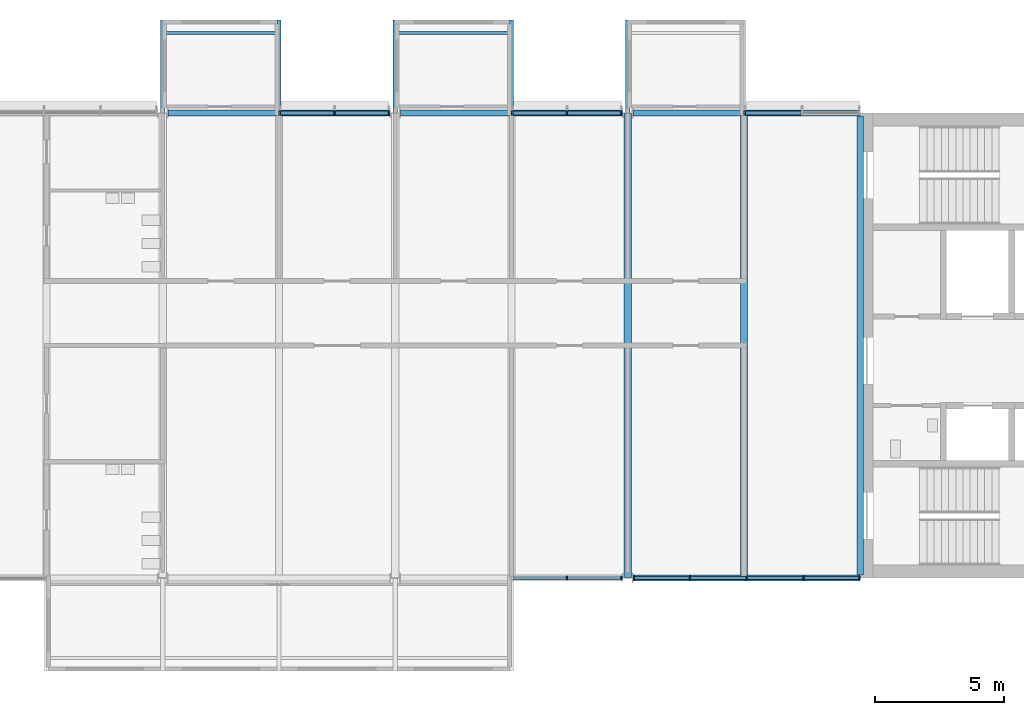
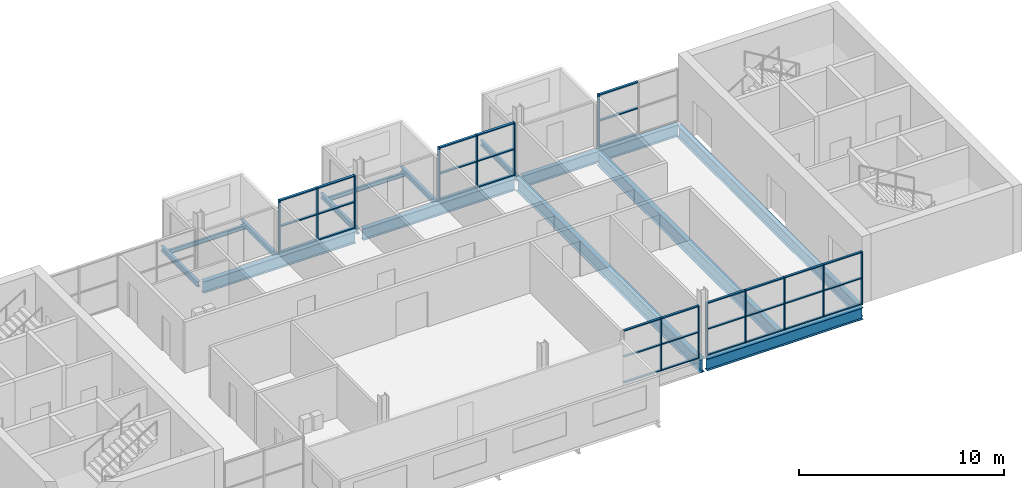
# One storey, part 2 of 11: 47 members, 14 beams, 5 elements without a shape of their own.
"""IFC4 building model written with IfcOpenShell, lengths in metres."""

from ifc_helpers import new_model, si_unit, direction, frame, origin, origin_2d, place, context, subcontext, project, spatial, rectangle, i_section, extrude, material, layer, layer_set, material_profile, profile_set, type_object, element, aggregate, save


model = new_model("IFC4")

# Units and contexts
model_context = context("Model", 3, precision=1e-05, world=origin(), true_north=direction((0.0, 1.0)))
body_context = subcontext(model_context, "Body", "Model", "MODEL_VIEW")
ifc_project = project(units=[si_unit("LENGTHUNIT", "METRE"), si_unit("AREAUNIT", "SQUARE_METRE"), si_unit("VOLUMEUNIT", "CUBIC_METRE"), si_unit("PLANEANGLEUNIT", "RADIAN"), si_unit("MASSUNIT", "GRAM", prefix="KILO")], contexts=[model_context])

# Site, building, storey
site_placement = place(None, origin())
site = spatial("IfcSite", under=ifc_project, at=site_placement, CompositionType="ELEMENT")
building_placement = place(site_placement, origin())
building = spatial("IfcBuilding", under=site, at=building_placement, Name="Corbel Yard City Hall", CompositionType="ELEMENT")
storey_placement = place(building_placement, frame((0.0, 0.0, 39.199951171875)))
storey = spatial("IfcBuildingStorey", under=building, at=storey_placement, Name="L09", CompositionType="ELEMENT", Elevation=39.199951171875)

# Beams
ifc_material_1 = material(Name="Steel Grade 350", Category="steel")
ifc_material_profile_1 = material_profile(ifc_material_1, i_section(OverallWidth=0.25, OverallDepth=0.699951171875, WebThickness=0.010009765625, FlangeThickness=0.02001953125, at=origin_2d()), Name="700WB130")
ifc_profile_set_1 = profile_set([ifc_material_profile_1], Name="Steel Grade 350")
beam_type_1 = type_object("IfcBeamType", Name="Edge beam 700WB130", PredefinedType="BEAM", material=ifc_profile_set_1)
beam_1_placement = place(storey_placement, frame((36.20703125, 99.0, -0.5), z_axis=(1.0, 0.0, 0.0), x_axis=(0.0, 1.0, 0.0)))
element("IfcBeam", 1, at=beam_1_placement, inside=storey, type_object=beam_type_1, Name="Edge beam 700WB130 EB9 L09tower", PredefinedType="BEAM", context=body_context, shape_type="SweptSolid", body=[
    extrude(i_section(OverallWidth=0.25, OverallDepth=0.699951171875, WebThickness=0.010009765625, FlangeThickness=0.02001953125, at=origin_2d()), origin(), (0.0, 0.0, 1.0), 8.79296875),
])
for number, where, z_axis, x_axis, name in (
    (2, (18.20703125, 117.0, -0.5), (1.0, 0.0, 0.0), (0.0, 1.0, 0.0), "Edge beam 700WB130 EB9 L09tower"),
    (3, (27.20703125, 117.0, -0.5), (1.0, 0.0, 0.0), (0.0, 1.0, 0.0), "Edge beam 700WB130 EB9 L09tower"),
):
    element("IfcBeam", number, at=place(storey_placement, frame(where, z_axis=z_axis, x_axis=x_axis)), inside=storey, type_object=beam_type_1, Name=name, PredefinedType="BEAM", context=body_context, shape_type="SweptSolid", body=[
        extrude(i_section(OverallWidth=0.25, OverallDepth=0.699951171875, WebThickness=0.010009765625, FlangeThickness=0.02001953125, at=origin_2d()), origin(), (0.0, 0.0, 1.0), 8.5859375),
    ])
beam_2_placement = place(storey_placement, frame((36.20703125, 117.0, -0.5), z_axis=(1.0, 0.0, 0.0), x_axis=(0.0, 1.0, 0.0)))
element("IfcBeam", 4, at=beam_2_placement, inside=storey, type_object=beam_type_1, Name="Edge beam 700WB130 EB9 L09tower", PredefinedType="BEAM", context=body_context, shape_type="SweptSolid", body=[
    extrude(i_section(OverallWidth=0.25, OverallDepth=0.699951171875, WebThickness=0.010009765625, FlangeThickness=0.02001953125, at=origin_2d()), origin(), (0.0, 0.0, 1.0), 8.79296875),
])
ifc_material_profile_2 = material_profile(ifc_material_1, i_section(OverallWidth=0.27490234375, OverallDepth=0.800048828125, WebThickness=0.010009765625, FlangeThickness=0.02001953125, at=origin_2d()), Name="800WB146")
ifc_profile_set_2 = profile_set([ifc_material_profile_2], Name="Steel Grade 350")
beam_type_2 = type_object("IfcBeamType", Name="Long-span beam 800WB146", PredefinedType="BEAM", material=ifc_profile_set_2)
beam_3_placement = place(storey_placement, frame((36.0, 99.012451171875, -0.550048828125), z_axis=(0.0, 1.0, 0.0), x_axis=(-1.0, 0.0, 0.0)))
element("IfcBeam", 5, at=beam_3_placement, inside=storey, type_object=beam_type_2, Name="Long-span beam 800WB146 SB8 L09tower", PredefinedType="BEAM", context=body_context, shape_type="SweptSolid", body=[
    extrude(i_section(OverallWidth=0.27490234375, OverallDepth=0.800048828125, WebThickness=0.010009765625, FlangeThickness=0.02001953125, at=origin_2d()), origin(), (0.0, 0.0, 1.0), 17.97509765625),
])
ifc_material_profile_3 = material_profile(ifc_material_1, i_section(OverallWidth=0.25, OverallDepth=0.7099609375, WebThickness=0.010009765625, FlangeThickness=0.02490234375, at=origin_2d()), Name="700WB150")
ifc_profile_set_3 = profile_set([ifc_material_profile_3], Name="Steel Grade 350")
beam_type_3 = type_object("IfcBeamType", Name="Long-span edge beam 700WB150", PredefinedType="BEAM", material=ifc_profile_set_3)
beam_4_placement = place(storey_placement, frame((45.0, 99.125, -0.5048828125), z_axis=(0.0, 1.0, 0.0), x_axis=(-1.0, 0.0, 0.0)))
element("IfcBeam", 6, at=beam_4_placement, inside=storey, type_object=beam_type_3, Name="Long-span edge beam 700WB150 EB8 L09tower", PredefinedType="BEAM", context=body_context, shape_type="SweptSolid", body=[
    extrude(i_section(OverallWidth=0.25, OverallDepth=0.7099609375, WebThickness=0.010009765625, FlangeThickness=0.02490234375, at=origin_2d()), origin(), (0.0, 0.0, 1.0), 17.75),
])
ifc_material_profile_4 = material_profile(ifc_material_1, i_section(OverallWidth=0.27490234375, OverallDepth=0.800048828125, WebThickness=0.010009765625, FlangeThickness=0.02001953125, at=origin_2d()), Name="800WB146")
ifc_profile_set_4 = profile_set([ifc_material_profile_4], Name="Steel Grade 350")
beam_type_4 = type_object("IfcBeamType", Name="Long-span secondary beam 800WB146", PredefinedType="JOIST", material=ifc_profile_set_4)
beam_5_placement = place(storey_placement, frame((40.5, 99.125, -0.550048828125), z_axis=(0.0, 1.0, 0.0), x_axis=(-1.0, 0.0, 0.0)))
element("IfcBeam", 7, at=beam_5_placement, inside=storey, type_object=beam_type_4, Name="Long-span secondary beam 800WB146 SB7 L09tower", PredefinedType="JOIST", context=body_context, shape_type="SweptSolid", body=[
    extrude(i_section(OverallWidth=0.27490234375, OverallDepth=0.800048828125, WebThickness=0.010009765625, FlangeThickness=0.02001953125, at=origin_2d()), origin(), (0.0, 0.0, 1.0), 17.75),
])

# Curtain wall, members
ifc_material_2 = material(Name="Aluminium extrusion", Category="aluminium")
ifc_layer_1 = layer(ifc_material_2, 0.14990234375)
ifc_layer_set_1 = layer_set([ifc_layer_1], Name="Aluminium extrusion")
curtain_wall_type_1 = type_object("IfcCurtainWallType", Name="CW2", PredefinedType="USERDEFINED", material=ifc_layer_set_1)
curtain_wall_1_placement = place(storey_placement, origin())
curtain_wall_1 = element("IfcCurtainWall", 8, at=curtain_wall_1_placement, inside=storey, type_object=curtain_wall_type_1, Name="Curtain wall CW2 L09", ObjectType="CURTAIN WALL", PredefinedType="USERDEFINED")
ifc_material_profile_5 = material_profile(ifc_material_2, rectangle(XDim=0.14990234375, YDim=0.06494140625, at=origin_2d()), Name="150x65")
ifc_profile_set_5 = profile_set([ifc_material_profile_5], Name="Aluminium extrusion")
member_type_1 = type_object("IfcMemberType", Name="ML2", PredefinedType="MULLION", material=ifc_profile_set_5)
member_1_placement = place(storey_placement, frame((33.646484375, 99.0, 0.0), z_axis=(0.0, 0.0, 1.0), x_axis=(0.0, 1.0, 0.0)))
member_1 = element("IfcMember", 9, at=member_1_placement, type_object=member_type_1, Name="CW2 mullion 2", PredefinedType="MULLION", context=body_context, shape_type="SweptSolid", body=[
    extrude(rectangle(XDim=0.14990234375, YDim=0.06494140625, at=origin_2d()), origin(), (0.0, 0.0, 1.0), 3.150146484375),
])
member_2_placement = place(storey_placement, frame((35.760498046875, 99.0, 0.0), z_axis=(0.0, 0.0, 1.0), x_axis=(0.0, 1.0, 0.0)))
member_2 = element("IfcMember", 10, at=member_2_placement, type_object=member_type_1, Name="CW2 mullion 3", PredefinedType="MULLION", context=body_context, shape_type="SweptSolid", body=[
    extrude(rectangle(XDim=0.14990234375, YDim=0.06494140625, at=origin_2d()), origin(), (0.0, 0.0, 1.0), 3.150146484375),
])

curtain_wall_2_placement = place(storey_placement, origin())
curtain_wall_2 = element("IfcCurtainWall", 11, at=curtain_wall_2_placement, inside=storey, type_object=curtain_wall_type_1, Name="Curtain wall CW2 L09", ObjectType="CURTAIN WALL", PredefinedType="USERDEFINED")
member_3_placement = place(storey_placement, frame((36.239501953125, 99.0, 0.0), z_axis=(0.0, 0.0, 1.0), x_axis=(0.0, 1.0, 0.0)))
member_3 = element("IfcMember", 12, at=member_3_placement, type_object=member_type_1, Name="CW2 mullion 1", PredefinedType="MULLION", context=body_context, shape_type="SweptSolid", body=[
    extrude(rectangle(XDim=0.14990234375, YDim=0.06494140625, at=origin_2d()), origin(), (0.0, 0.0, 1.0), 3.150146484375),
])
member_4_placement = place(storey_placement, frame((38.4052734375, 99.0, 0.0), z_axis=(0.0, 0.0, 1.0), x_axis=(0.0, 1.0, 0.0)))
member_4 = element("IfcMember", 13, at=member_4_placement, type_object=member_type_1, Name="CW2 mullion 2", PredefinedType="MULLION", context=body_context, shape_type="SweptSolid", body=[
    extrude(rectangle(XDim=0.14990234375, YDim=0.06494140625, at=origin_2d()), origin(), (0.0, 0.0, 1.0), 3.150146484375),
])
member_5_placement = place(storey_placement, frame((40.603515625, 99.0, 0.0), z_axis=(0.0, 0.0, 1.0), x_axis=(0.0, 1.0, 0.0)))
member_5 = element("IfcMember", 14, at=member_5_placement, type_object=member_type_1, Name="CW2 mullion 3", PredefinedType="MULLION", context=body_context, shape_type="SweptSolid", body=[
    extrude(rectangle(XDim=0.14990234375, YDim=0.06494140625, at=origin_2d()), origin(), (0.0, 0.0, 1.0), 3.150146484375),
])
member_6_placement = place(storey_placement, frame((42.8017578125, 99.0, 0.0), z_axis=(0.0, 0.0, 1.0), x_axis=(0.0, 1.0, 0.0)))
member_6 = element("IfcMember", 15, at=member_6_placement, type_object=member_type_1, Name="CW2 mullion 4", PredefinedType="MULLION", context=body_context, shape_type="SweptSolid", body=[
    extrude(rectangle(XDim=0.14990234375, YDim=0.06494140625, at=origin_2d()), origin(), (0.0, 0.0, 1.0), 3.150146484375),
])
member_7_placement = place(storey_placement, frame((44.967529296875, 99.0, 0.0), z_axis=(0.0, 0.0, 1.0), x_axis=(0.0, 1.0, 0.0)))
member_7 = element("IfcMember", 16, at=member_7_placement, type_object=member_type_1, Name="CW2 mullion 5", PredefinedType="MULLION", context=body_context, shape_type="SweptSolid", body=[
    extrude(rectangle(XDim=0.14990234375, YDim=0.06494140625, at=origin_2d()), origin(), (0.0, 0.0, 1.0), 3.150146484375),
])

ifc_layer_2 = layer(ifc_material_2, 0.179931640625)
ifc_layer_set_2 = layer_set([ifc_layer_2], Name="Aluminium extrusion")
curtain_wall_type_2 = type_object("IfcCurtainWallType", Name="CW6", PredefinedType="USERDEFINED", material=ifc_layer_set_2)
curtain_wall_3_placement = place(storey_placement, origin())
curtain_wall_3 = element("IfcCurtainWall", 17, at=curtain_wall_3_placement, inside=storey, type_object=curtain_wall_type_2, Name="Curtain wall CW6 L09", ObjectType="CURTAIN WALL", PredefinedType="USERDEFINED")
ifc_material_profile_6 = material_profile(ifc_material_2, rectangle(XDim=0.179931640625, YDim=0.06494140625, at=origin_2d()), Name="180x65")
ifc_profile_set_6 = profile_set([ifc_material_profile_6], Name="Aluminium extrusion")
member_type_2 = type_object("IfcMemberType", Name="ML6", PredefinedType="MULLION", material=ifc_profile_set_6)
member_8_placement = place(storey_placement, frame((22.532470703125, 117.0, 0.0), z_axis=(0.0, 0.0, 1.0), x_axis=(0.0, 1.0, 0.0)))
member_8 = element("IfcMember", 18, at=member_8_placement, type_object=member_type_2, Name="CW6 mullion 1", PredefinedType="MULLION", context=body_context, shape_type="SweptSolid", body=[
    extrude(rectangle(XDim=0.179931640625, YDim=0.06494140625, at=origin_2d()), origin(), (0.0, 0.0, 1.0), 3.150146484375),
])
member_9_placement = place(storey_placement, frame((24.646484375, 117.0, 0.0), z_axis=(0.0, 0.0, 1.0), x_axis=(0.0, 1.0, 0.0)))
member_9 = element("IfcMember", 19, at=member_9_placement, type_object=member_type_2, Name="CW6 mullion 2", PredefinedType="MULLION", context=body_context, shape_type="SweptSolid", body=[
    extrude(rectangle(XDim=0.179931640625, YDim=0.06494140625, at=origin_2d()), origin(), (0.0, 0.0, 1.0), 3.150146484375),
])
member_10_placement = place(storey_placement, frame((26.760498046875, 117.0, 0.0), z_axis=(0.0, 0.0, 1.0), x_axis=(0.0, 1.0, 0.0)))
member_10 = element("IfcMember", 20, at=member_10_placement, type_object=member_type_2, Name="CW6 mullion 3", PredefinedType="MULLION", context=body_context, shape_type="SweptSolid", body=[
    extrude(rectangle(XDim=0.179931640625, YDim=0.06494140625, at=origin_2d()), origin(), (0.0, 0.0, 1.0), 3.150146484375),
])

curtain_wall_4_placement = place(storey_placement, origin())
curtain_wall_4 = element("IfcCurtainWall", 21, at=curtain_wall_4_placement, inside=storey, type_object=curtain_wall_type_2, Name="Curtain wall CW6 L09", ObjectType="CURTAIN WALL", PredefinedType="USERDEFINED")
member_11_placement = place(storey_placement, frame((31.532470703125, 117.0, 0.0), z_axis=(0.0, 0.0, 1.0), x_axis=(0.0, 1.0, 0.0)))
member_11 = element("IfcMember", 22, at=member_11_placement, type_object=member_type_2, Name="CW6 mullion 1", PredefinedType="MULLION", context=body_context, shape_type="SweptSolid", body=[
    extrude(rectangle(XDim=0.179931640625, YDim=0.06494140625, at=origin_2d()), origin(), (0.0, 0.0, 1.0), 3.150146484375),
])
member_12_placement = place(storey_placement, frame((33.646484375, 117.0, 0.0), z_axis=(0.0, 0.0, 1.0), x_axis=(0.0, 1.0, 0.0)))
member_12 = element("IfcMember", 23, at=member_12_placement, type_object=member_type_2, Name="CW6 mullion 2", PredefinedType="MULLION", context=body_context, shape_type="SweptSolid", body=[
    extrude(rectangle(XDim=0.179931640625, YDim=0.06494140625, at=origin_2d()), origin(), (0.0, 0.0, 1.0), 3.150146484375),
])
member_13_placement = place(storey_placement, frame((35.760498046875, 117.0, 0.0), z_axis=(0.0, 0.0, 1.0), x_axis=(0.0, 1.0, 0.0)))
member_13 = element("IfcMember", 24, at=member_13_placement, type_object=member_type_2, Name="CW6 mullion 3", PredefinedType="MULLION", context=body_context, shape_type="SweptSolid", body=[
    extrude(rectangle(XDim=0.179931640625, YDim=0.06494140625, at=origin_2d()), origin(), (0.0, 0.0, 1.0), 3.150146484375),
])

# Curtain wall, member
curtain_wall_5_placement = place(storey_placement, origin())
curtain_wall_5 = element("IfcCurtainWall", 25, at=curtain_wall_5_placement, inside=storey, type_object=curtain_wall_type_2, Name="Curtain wall CW6 L09", ObjectType="CURTAIN WALL", PredefinedType="USERDEFINED")
member_14_placement = place(storey_placement, frame((40.532470703125, 117.0, 0.0), z_axis=(0.0, 0.0, 1.0), x_axis=(0.0, 1.0, 0.0)))
member_14 = element("IfcMember", 26, at=member_14_placement, type_object=member_type_2, Name="CW6 mullion 1", PredefinedType="MULLION", context=body_context, shape_type="SweptSolid", body=[
    extrude(rectangle(XDim=0.179931640625, YDim=0.06494140625, at=origin_2d()), origin(), (0.0, 0.0, 1.0), 3.150146484375),
])

# Beams
ifc_material_3 = material(Name="Steel Grade 300 (300 MPa yield)", Category="steel")
ifc_material_profile_7 = material_profile(ifc_material_3, i_section(OverallWidth=0.166015625, OverallDepth=0.306884765625, WebThickness=0.006591796875, FlangeThickness=0.01171875, at=origin_2d()), Name="310UB46.2")
ifc_profile_set_7 = profile_set([ifc_material_profile_7], Name="Steel Grade 300 (300 MPa yield)")
beam_type_5 = type_object("IfcBeamType", Name="Pod stub beam 310UB46.2", PredefinedType="BEAM", material=ifc_profile_set_7)
beam_6_placement = place(storey_placement, frame((18.0, 117.012451171875, -0.303466796875), z_axis=(0.0, 1.0, 0.0), x_axis=(-1.0, 0.0, 0.0)))
element("IfcBeam", 27, at=beam_6_placement, inside=storey, type_object=beam_type_5, Name="Pod stub 310UB46.2 CB1 L09", PredefinedType="BEAM", context=body_context, shape_type="SweptSolid", body=[
    extrude(i_section(OverallWidth=0.166015625, OverallDepth=0.306884765625, WebThickness=0.006591796875, FlangeThickness=0.01171875, at=origin_2d()), origin(), (0.0, 0.0, 1.0), 3.587646484375),
])
beam_7_placement = place(storey_placement, frame((22.5, 117.125, -0.303466796875), z_axis=(0.0, 1.0, 0.0), x_axis=(-1.0, 0.0, 0.0)))
element("IfcBeam", 28, at=beam_7_placement, inside=storey, type_object=beam_type_5, Name="Pod stub 310UB46.2 CB1 L09", PredefinedType="BEAM", context=body_context, shape_type="SweptSolid", body=[
    extrude(i_section(OverallWidth=0.166015625, OverallDepth=0.306884765625, WebThickness=0.006591796875, FlangeThickness=0.01171875, at=origin_2d()), origin(), (0.0, 0.0, 1.0), 3.47509765625),
])
beam_8_placement = place(storey_placement, frame((27.0, 117.012451171875, -0.303466796875), z_axis=(0.0, 1.0, 0.0), x_axis=(-1.0, 0.0, 0.0)))
element("IfcBeam", 29, at=beam_8_placement, inside=storey, type_object=beam_type_5, Name="Pod stub 310UB46.2 CB1 L09", PredefinedType="BEAM", context=body_context, shape_type="SweptSolid", body=[
    extrude(i_section(OverallWidth=0.166015625, OverallDepth=0.306884765625, WebThickness=0.006591796875, FlangeThickness=0.01171875, at=origin_2d()), origin(), (0.0, 0.0, 1.0), 3.587646484375),
])
beam_9_placement = place(storey_placement, frame((31.5, 117.125, -0.303466796875), z_axis=(0.0, 1.0, 0.0), x_axis=(-1.0, 0.0, 0.0)))
element("IfcBeam", 30, at=beam_9_placement, inside=storey, type_object=beam_type_5, Name="Pod stub 310UB46.2 CB1 L09", PredefinedType="BEAM", context=body_context, shape_type="SweptSolid", body=[
    extrude(i_section(OverallWidth=0.166015625, OverallDepth=0.306884765625, WebThickness=0.006591796875, FlangeThickness=0.01171875, at=origin_2d()), origin(), (0.0, 0.0, 1.0), 3.47509765625),
])
beam_10_placement = place(storey_placement, frame((36.0, 117.012451171875, -0.303466796875), z_axis=(0.0, 1.0, 0.0), x_axis=(-1.0, 0.0, 0.0)))
element("IfcBeam", 31, at=beam_10_placement, inside=storey, type_object=beam_type_5, Name="Pod stub 310UB46.2 CB1 L09", PredefinedType="BEAM", context=body_context, shape_type="SweptSolid", body=[
    extrude(i_section(OverallWidth=0.166015625, OverallDepth=0.306884765625, WebThickness=0.006591796875, FlangeThickness=0.01171875, at=origin_2d()), origin(), (0.0, 0.0, 1.0), 3.587646484375),
])
ifc_material_profile_8 = material_profile(ifc_material_3, i_section(OverallWidth=0.1240234375, OverallDepth=0.248046875, WebThickness=0.0048828125, FlangeThickness=0.008056640625, at=origin_2d()), Name="250UB25.7")
ifc_profile_set_8 = profile_set([ifc_material_profile_8], Name="Steel Grade 300 (300 MPa yield)")
beam_type_6 = type_object("IfcBeamType", Name="Pod tip beam", PredefinedType="BEAM", material=ifc_profile_set_8)
for number, where, z_axis, x_axis, name in (
    (32, (18.0830078125, 120.10009765625, -0.27392578125), (1.0, 0.0, 0.0), (0.0, 1.0, 0.0), "Pod tip beam"),
    (33, (27.0830078125, 120.10009765625, -0.27392578125), (1.0, 0.0, 0.0), (0.0, 1.0, 0.0), "Pod tip beam"),
):
    element("IfcBeam", number, at=place(storey_placement, frame(where, z_axis=z_axis, x_axis=x_axis)), inside=storey, type_object=beam_type_6, Name=name, PredefinedType="BEAM", context=body_context, shape_type="SweptSolid", body=[
        extrude(i_section(OverallWidth=0.1240234375, OverallDepth=0.248046875, WebThickness=0.0048828125, FlangeThickness=0.008056640625, at=origin_2d()), origin(), (0.0, 0.0, 1.0), 4.333984375),
    ])

# Member
ifc_material_profile_9 = material_profile(ifc_material_2, rectangle(XDim=0.1201171875, YDim=0.06494140625, at=origin_2d()), Name="120x65")
ifc_profile_set_9 = profile_set([ifc_material_profile_9], Name="Aluminium extrusion")
member_type_3 = type_object("IfcMemberType", Name="TR2", PredefinedType="USERDEFINED", material=ifc_profile_set_9)
member_15_placement = place(storey_placement, frame((31.56494140625, 99.0, 0.032470703125), z_axis=(1.0, 0.0, 0.0), x_axis=(0.0, 1.0, 0.0)))
member_15 = element("IfcMember", 34, at=member_15_placement, type_object=member_type_3, Name="CW2 transom 1.1", ObjectType="TRANSOM", PredefinedType="USERDEFINED", context=body_context, shape_type="SweptSolid", body=[
    extrude(rectangle(XDim=0.1201171875, YDim=0.06494140625, at=origin_2d()), origin(), (0.0, 0.0, 1.0), 2.049072265625),
])

member_16_placement = place(storey_placement, frame((31.56494140625, 99.0, 1.574951171875), z_axis=(1.0, 0.0, 0.0), x_axis=(0.0, 1.0, 0.0)))
member_16 = element("IfcMember", 35, at=member_16_placement, type_object=member_type_3, Name="CW2 transom 1.2", ObjectType="TRANSOM", PredefinedType="USERDEFINED", context=body_context, shape_type="SweptSolid", body=[
    extrude(rectangle(XDim=0.1201171875, YDim=0.06494140625, at=origin_2d()), origin(), (0.0, 0.0, 1.0), 2.049072265625),
])

member_17_placement = place(storey_placement, frame((31.56494140625, 99.0, 3.117431640625), z_axis=(1.0, 0.0, 0.0), x_axis=(0.0, 1.0, 0.0)))
member_17 = element("IfcMember", 36, at=member_17_placement, type_object=member_type_3, Name="CW2 transom 1.3", ObjectType="TRANSOM", PredefinedType="USERDEFINED", context=body_context, shape_type="SweptSolid", body=[
    extrude(rectangle(XDim=0.1201171875, YDim=0.06494140625, at=origin_2d()), origin(), (0.0, 0.0, 1.0), 2.049072265625),
])

member_18_placement = place(storey_placement, frame((33.678955078125, 99.0, 0.032470703125), z_axis=(1.0, 0.0, 0.0), x_axis=(0.0, 1.0, 0.0)))
member_18 = element("IfcMember", 37, at=member_18_placement, type_object=member_type_3, Name="CW2 transom 2.1", ObjectType="TRANSOM", PredefinedType="USERDEFINED", context=body_context, shape_type="SweptSolid", body=[
    extrude(rectangle(XDim=0.1201171875, YDim=0.06494140625, at=origin_2d()), origin(), (0.0, 0.0, 1.0), 2.049072265625),
])

member_19_placement = place(storey_placement, frame((33.678955078125, 99.0, 1.574951171875), z_axis=(1.0, 0.0, 0.0), x_axis=(0.0, 1.0, 0.0)))
member_19 = element("IfcMember", 38, at=member_19_placement, type_object=member_type_3, Name="CW2 transom 2.2", ObjectType="TRANSOM", PredefinedType="USERDEFINED", context=body_context, shape_type="SweptSolid", body=[
    extrude(rectangle(XDim=0.1201171875, YDim=0.06494140625, at=origin_2d()), origin(), (0.0, 0.0, 1.0), 2.049072265625),
])

member_20_placement = place(storey_placement, frame((33.678955078125, 99.0, 3.117431640625), z_axis=(1.0, 0.0, 0.0), x_axis=(0.0, 1.0, 0.0)))
member_20 = element("IfcMember", 39, at=member_20_placement, type_object=member_type_3, Name="CW2 transom 2.3", ObjectType="TRANSOM", PredefinedType="USERDEFINED", context=body_context, shape_type="SweptSolid", body=[
    extrude(rectangle(XDim=0.1201171875, YDim=0.06494140625, at=origin_2d()), origin(), (0.0, 0.0, 1.0), 2.049072265625),
])

aggregate(curtain_wall_1, [member_1, member_2, member_15, member_16, member_17, member_18, member_19, member_20])

member_21_placement = place(storey_placement, frame((36.27197265625, 99.0, 0.032470703125), z_axis=(1.0, 0.0, 0.0), x_axis=(0.0, 1.0, 0.0)))
member_21 = element("IfcMember", 40, at=member_21_placement, type_object=member_type_3, Name="CW2 transom 1.1", ObjectType="TRANSOM", PredefinedType="USERDEFINED", context=body_context, shape_type="SweptSolid", body=[
    extrude(rectangle(XDim=0.1201171875, YDim=0.06494140625, at=origin_2d()), origin(), (0.0, 0.0, 1.0), 2.100830078125),
])

member_22_placement = place(storey_placement, frame((36.27197265625, 99.0, 1.574951171875), z_axis=(1.0, 0.0, 0.0), x_axis=(0.0, 1.0, 0.0)))
member_22 = element("IfcMember", 41, at=member_22_placement, type_object=member_type_3, Name="CW2 transom 1.2", ObjectType="TRANSOM", PredefinedType="USERDEFINED", context=body_context, shape_type="SweptSolid", body=[
    extrude(rectangle(XDim=0.1201171875, YDim=0.06494140625, at=origin_2d()), origin(), (0.0, 0.0, 1.0), 2.100830078125),
])

member_23_placement = place(storey_placement, frame((36.27197265625, 99.0, 3.117431640625), z_axis=(1.0, 0.0, 0.0), x_axis=(0.0, 1.0, 0.0)))
member_23 = element("IfcMember", 42, at=member_23_placement, type_object=member_type_3, Name="CW2 transom 1.3", ObjectType="TRANSOM", PredefinedType="USERDEFINED", context=body_context, shape_type="SweptSolid", body=[
    extrude(rectangle(XDim=0.1201171875, YDim=0.06494140625, at=origin_2d()), origin(), (0.0, 0.0, 1.0), 2.100830078125),
])

member_24_placement = place(storey_placement, frame((38.437744140625, 99.0, 0.032470703125), z_axis=(1.0, 0.0, 0.0), x_axis=(0.0, 1.0, 0.0)))
member_24 = element("IfcMember", 43, at=member_24_placement, type_object=member_type_3, Name="CW2 transom 2.1", ObjectType="TRANSOM", PredefinedType="USERDEFINED", context=body_context, shape_type="SweptSolid", body=[
    extrude(rectangle(XDim=0.1201171875, YDim=0.06494140625, at=origin_2d()), origin(), (0.0, 0.0, 1.0), 2.13330078125),
])

member_25_placement = place(storey_placement, frame((38.437744140625, 99.0, 1.574951171875), z_axis=(1.0, 0.0, 0.0), x_axis=(0.0, 1.0, 0.0)))
member_25 = element("IfcMember", 44, at=member_25_placement, type_object=member_type_3, Name="CW2 transom 2.2", ObjectType="TRANSOM", PredefinedType="USERDEFINED", context=body_context, shape_type="SweptSolid", body=[
    extrude(rectangle(XDim=0.1201171875, YDim=0.06494140625, at=origin_2d()), origin(), (0.0, 0.0, 1.0), 2.13330078125),
])

member_26_placement = place(storey_placement, frame((38.437744140625, 99.0, 3.117431640625), z_axis=(1.0, 0.0, 0.0), x_axis=(0.0, 1.0, 0.0)))
member_26 = element("IfcMember", 45, at=member_26_placement, type_object=member_type_3, Name="CW2 transom 2.3", ObjectType="TRANSOM", PredefinedType="USERDEFINED", context=body_context, shape_type="SweptSolid", body=[
    extrude(rectangle(XDim=0.1201171875, YDim=0.06494140625, at=origin_2d()), origin(), (0.0, 0.0, 1.0), 2.13330078125),
])

member_27_placement = place(storey_placement, frame((40.635986328125, 99.0, 0.032470703125), z_axis=(1.0, 0.0, 0.0), x_axis=(0.0, 1.0, 0.0)))
member_27 = element("IfcMember", 46, at=member_27_placement, type_object=member_type_3, Name="CW2 transom 3.1", ObjectType="TRANSOM", PredefinedType="USERDEFINED", context=body_context, shape_type="SweptSolid", body=[
    extrude(rectangle(XDim=0.1201171875, YDim=0.06494140625, at=origin_2d()), origin(), (0.0, 0.0, 1.0), 2.13330078125),
])

member_28_placement = place(storey_placement, frame((40.635986328125, 99.0, 1.574951171875), z_axis=(1.0, 0.0, 0.0), x_axis=(0.0, 1.0, 0.0)))
member_28 = element("IfcMember", 47, at=member_28_placement, type_object=member_type_3, Name="CW2 transom 3.2", ObjectType="TRANSOM", PredefinedType="USERDEFINED", context=body_context, shape_type="SweptSolid", body=[
    extrude(rectangle(XDim=0.1201171875, YDim=0.06494140625, at=origin_2d()), origin(), (0.0, 0.0, 1.0), 2.13330078125),
])

member_29_placement = place(storey_placement, frame((40.635986328125, 99.0, 3.117431640625), z_axis=(1.0, 0.0, 0.0), x_axis=(0.0, 1.0, 0.0)))
member_29 = element("IfcMember", 48, at=member_29_placement, type_object=member_type_3, Name="CW2 transom 3.3", ObjectType="TRANSOM", PredefinedType="USERDEFINED", context=body_context, shape_type="SweptSolid", body=[
    extrude(rectangle(XDim=0.1201171875, YDim=0.06494140625, at=origin_2d()), origin(), (0.0, 0.0, 1.0), 2.13330078125),
])

member_30_placement = place(storey_placement, frame((42.834228515625, 99.0, 0.032470703125), z_axis=(1.0, 0.0, 0.0), x_axis=(0.0, 1.0, 0.0)))
member_30 = element("IfcMember", 49, at=member_30_placement, type_object=member_type_3, Name="CW2 transom 4.1", ObjectType="TRANSOM", PredefinedType="USERDEFINED", context=body_context, shape_type="SweptSolid", body=[
    extrude(rectangle(XDim=0.1201171875, YDim=0.06494140625, at=origin_2d()), origin(), (0.0, 0.0, 1.0), 2.100830078125),
])

member_31_placement = place(storey_placement, frame((42.834228515625, 99.0, 1.574951171875), z_axis=(1.0, 0.0, 0.0), x_axis=(0.0, 1.0, 0.0)))
member_31 = element("IfcMember", 50, at=member_31_placement, type_object=member_type_3, Name="CW2 transom 4.2", ObjectType="TRANSOM", PredefinedType="USERDEFINED", context=body_context, shape_type="SweptSolid", body=[
    extrude(rectangle(XDim=0.1201171875, YDim=0.06494140625, at=origin_2d()), origin(), (0.0, 0.0, 1.0), 2.100830078125),
])

member_32_placement = place(storey_placement, frame((42.834228515625, 99.0, 3.117431640625), z_axis=(1.0, 0.0, 0.0), x_axis=(0.0, 1.0, 0.0)))
member_32 = element("IfcMember", 51, at=member_32_placement, type_object=member_type_3, Name="CW2 transom 4.3", ObjectType="TRANSOM", PredefinedType="USERDEFINED", context=body_context, shape_type="SweptSolid", body=[
    extrude(rectangle(XDim=0.1201171875, YDim=0.06494140625, at=origin_2d()), origin(), (0.0, 0.0, 1.0), 2.100830078125),
])

aggregate(curtain_wall_2, [member_3, member_4, member_5, member_6, member_7, member_21, member_22, member_23, member_24, member_25, member_26, member_27, member_28, member_29, member_30, member_31, member_32])

ifc_material_profile_10 = material_profile(ifc_material_2, rectangle(XDim=0.139892578125, YDim=0.06494140625, at=origin_2d()), Name="140x65")
ifc_profile_set_10 = profile_set([ifc_material_profile_10], Name="Aluminium extrusion")
member_type_4 = type_object("IfcMemberType", Name="TR6", PredefinedType="USERDEFINED", material=ifc_profile_set_10)
member_33_placement = place(storey_placement, frame((22.56494140625, 117.0, 0.032470703125), z_axis=(1.0, 0.0, 0.0), x_axis=(0.0, 1.0, 0.0)))
member_33 = element("IfcMember", 52, at=member_33_placement, type_object=member_type_4, Name="CW6 transom 1.1", ObjectType="TRANSOM", PredefinedType="USERDEFINED", context=body_context, shape_type="SweptSolid", body=[
    extrude(rectangle(XDim=0.139892578125, YDim=0.06494140625, at=origin_2d()), origin(), (0.0, 0.0, 1.0), 2.049072265625),
])

member_34_placement = place(storey_placement, frame((22.56494140625, 117.0, 1.574951171875), z_axis=(1.0, 0.0, 0.0), x_axis=(0.0, 1.0, 0.0)))
member_34 = element("IfcMember", 53, at=member_34_placement, type_object=member_type_4, Name="CW6 transom 1.2", ObjectType="TRANSOM", PredefinedType="USERDEFINED", context=body_context, shape_type="SweptSolid", body=[
    extrude(rectangle(XDim=0.139892578125, YDim=0.06494140625, at=origin_2d()), origin(), (0.0, 0.0, 1.0), 2.049072265625),
])

member_35_placement = place(storey_placement, frame((22.56494140625, 117.0, 3.117431640625), z_axis=(1.0, 0.0, 0.0), x_axis=(0.0, 1.0, 0.0)))
member_35 = element("IfcMember", 54, at=member_35_placement, type_object=member_type_4, Name="CW6 transom 1.3", ObjectType="TRANSOM", PredefinedType="USERDEFINED", context=body_context, shape_type="SweptSolid", body=[
    extrude(rectangle(XDim=0.139892578125, YDim=0.06494140625, at=origin_2d()), origin(), (0.0, 0.0, 1.0), 2.049072265625),
])

member_36_placement = place(storey_placement, frame((24.678955078125, 117.0, 0.032470703125), z_axis=(1.0, 0.0, 0.0), x_axis=(0.0, 1.0, 0.0)))
member_36 = element("IfcMember", 55, at=member_36_placement, type_object=member_type_4, Name="CW6 transom 2.1", ObjectType="TRANSOM", PredefinedType="USERDEFINED", context=body_context, shape_type="SweptSolid", body=[
    extrude(rectangle(XDim=0.139892578125, YDim=0.06494140625, at=origin_2d()), origin(), (0.0, 0.0, 1.0), 2.049072265625),
])

member_37_placement = place(storey_placement, frame((24.678955078125, 117.0, 1.574951171875), z_axis=(1.0, 0.0, 0.0), x_axis=(0.0, 1.0, 0.0)))
member_37 = element("IfcMember", 56, at=member_37_placement, type_object=member_type_4, Name="CW6 transom 2.2", ObjectType="TRANSOM", PredefinedType="USERDEFINED", context=body_context, shape_type="SweptSolid", body=[
    extrude(rectangle(XDim=0.139892578125, YDim=0.06494140625, at=origin_2d()), origin(), (0.0, 0.0, 1.0), 2.049072265625),
])

member_38_placement = place(storey_placement, frame((24.678955078125, 117.0, 3.117431640625), z_axis=(1.0, 0.0, 0.0), x_axis=(0.0, 1.0, 0.0)))
member_38 = element("IfcMember", 57, at=member_38_placement, type_object=member_type_4, Name="CW6 transom 2.3", ObjectType="TRANSOM", PredefinedType="USERDEFINED", context=body_context, shape_type="SweptSolid", body=[
    extrude(rectangle(XDim=0.139892578125, YDim=0.06494140625, at=origin_2d()), origin(), (0.0, 0.0, 1.0), 2.049072265625),
])

aggregate(curtain_wall_3, [member_8, member_9, member_10, member_33, member_34, member_35, member_36, member_37, member_38])

member_39_placement = place(storey_placement, frame((31.56494140625, 117.0, 0.032470703125), z_axis=(1.0, 0.0, 0.0), x_axis=(0.0, 1.0, 0.0)))
member_39 = element("IfcMember", 58, at=member_39_placement, type_object=member_type_4, Name="CW6 transom 1.1", ObjectType="TRANSOM", PredefinedType="USERDEFINED", context=body_context, shape_type="SweptSolid", body=[
    extrude(rectangle(XDim=0.139892578125, YDim=0.06494140625, at=origin_2d()), origin(), (0.0, 0.0, 1.0), 2.049072265625),
])

member_40_placement = place(storey_placement, frame((31.56494140625, 117.0, 1.574951171875), z_axis=(1.0, 0.0, 0.0), x_axis=(0.0, 1.0, 0.0)))
member_40 = element("IfcMember", 59, at=member_40_placement, type_object=member_type_4, Name="CW6 transom 1.2", ObjectType="TRANSOM", PredefinedType="USERDEFINED", context=body_context, shape_type="SweptSolid", body=[
    extrude(rectangle(XDim=0.139892578125, YDim=0.06494140625, at=origin_2d()), origin(), (0.0, 0.0, 1.0), 2.049072265625),
])

member_41_placement = place(storey_placement, frame((31.56494140625, 117.0, 3.117431640625), z_axis=(1.0, 0.0, 0.0), x_axis=(0.0, 1.0, 0.0)))
member_41 = element("IfcMember", 60, at=member_41_placement, type_object=member_type_4, Name="CW6 transom 1.3", ObjectType="TRANSOM", PredefinedType="USERDEFINED", context=body_context, shape_type="SweptSolid", body=[
    extrude(rectangle(XDim=0.139892578125, YDim=0.06494140625, at=origin_2d()), origin(), (0.0, 0.0, 1.0), 2.049072265625),
])

member_42_placement = place(storey_placement, frame((33.678955078125, 117.0, 0.032470703125), z_axis=(1.0, 0.0, 0.0), x_axis=(0.0, 1.0, 0.0)))
member_42 = element("IfcMember", 61, at=member_42_placement, type_object=member_type_4, Name="CW6 transom 2.1", ObjectType="TRANSOM", PredefinedType="USERDEFINED", context=body_context, shape_type="SweptSolid", body=[
    extrude(rectangle(XDim=0.139892578125, YDim=0.06494140625, at=origin_2d()), origin(), (0.0, 0.0, 1.0), 2.049072265625),
])

member_43_placement = place(storey_placement, frame((33.678955078125, 117.0, 1.574951171875), z_axis=(1.0, 0.0, 0.0), x_axis=(0.0, 1.0, 0.0)))
member_43 = element("IfcMember", 62, at=member_43_placement, type_object=member_type_4, Name="CW6 transom 2.2", ObjectType="TRANSOM", PredefinedType="USERDEFINED", context=body_context, shape_type="SweptSolid", body=[
    extrude(rectangle(XDim=0.139892578125, YDim=0.06494140625, at=origin_2d()), origin(), (0.0, 0.0, 1.0), 2.049072265625),
])

member_44_placement = place(storey_placement, frame((33.678955078125, 117.0, 3.117431640625), z_axis=(1.0, 0.0, 0.0), x_axis=(0.0, 1.0, 0.0)))
member_44 = element("IfcMember", 63, at=member_44_placement, type_object=member_type_4, Name="CW6 transom 2.3", ObjectType="TRANSOM", PredefinedType="USERDEFINED", context=body_context, shape_type="SweptSolid", body=[
    extrude(rectangle(XDim=0.139892578125, YDim=0.06494140625, at=origin_2d()), origin(), (0.0, 0.0, 1.0), 2.049072265625),
])

aggregate(curtain_wall_4, [member_11, member_12, member_13, member_39, member_40, member_41, member_42, member_43, member_44])

member_45_placement = place(storey_placement, frame((40.56494140625, 117.0, 0.032470703125), z_axis=(1.0, 0.0, 0.0), x_axis=(0.0, 1.0, 0.0)))
member_45 = element("IfcMember", 64, at=member_45_placement, type_object=member_type_4, Name="CW6 transom 1.1", ObjectType="TRANSOM", PredefinedType="USERDEFINED", context=body_context, shape_type="SweptSolid", body=[
    extrude(rectangle(XDim=0.139892578125, YDim=0.06494140625, at=origin_2d()), origin(), (0.0, 0.0, 1.0), 2.152587890625),
])

member_46_placement = place(storey_placement, frame((40.56494140625, 117.0, 1.574951171875), z_axis=(1.0, 0.0, 0.0), x_axis=(0.0, 1.0, 0.0)))
member_46 = element("IfcMember", 65, at=member_46_placement, type_object=member_type_4, Name="CW6 transom 1.2", ObjectType="TRANSOM", PredefinedType="USERDEFINED", context=body_context, shape_type="SweptSolid", body=[
    extrude(rectangle(XDim=0.139892578125, YDim=0.06494140625, at=origin_2d()), origin(), (0.0, 0.0, 1.0), 2.152587890625),
])

member_47_placement = place(storey_placement, frame((40.56494140625, 117.0, 3.117431640625), z_axis=(1.0, 0.0, 0.0), x_axis=(0.0, 1.0, 0.0)))
member_47 = element("IfcMember", 66, at=member_47_placement, type_object=member_type_4, Name="CW6 transom 1.3", ObjectType="TRANSOM", PredefinedType="USERDEFINED", context=body_context, shape_type="SweptSolid", body=[
    extrude(rectangle(XDim=0.139892578125, YDim=0.06494140625, at=origin_2d()), origin(), (0.0, 0.0, 1.0), 2.152587890625),
])

aggregate(curtain_wall_5, [member_14, member_45, member_46, member_47])

save(model, "model.ifc")
